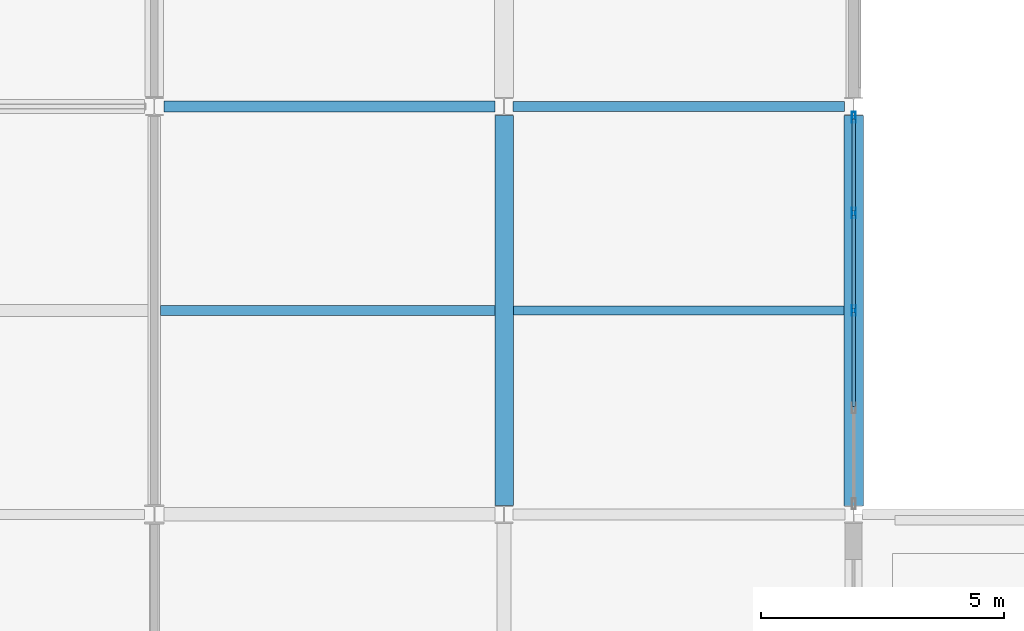
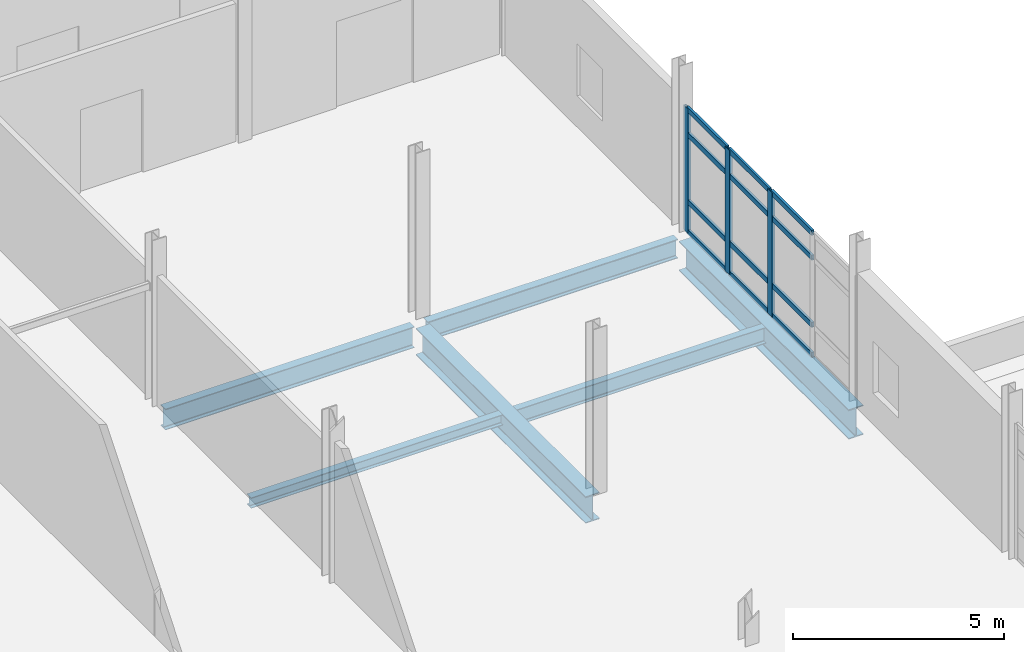
# One storey, part 106 of 186: 15 members, 6 beams, 1 element without a shape of its own.
"""IFC4 building model written with IfcOpenShell, lengths in metres."""

from ifc_helpers import new_model, si_unit, direction, frame, origin, origin_2d, place, context, subcontext, project, spatial, hollow_rectangle, i_section, extrude, material, layer, layer_set, material_profile, profile_set, type_object, element, aggregate, save


model = new_model("IFC4")

# Units and contexts
model_context = context("Model", 3, precision=1e-05, world=origin(), true_north=direction((0.0, 1.0)))
body_context = subcontext(model_context, "Body", "Model", "MODEL_VIEW")
ifc_project = project(units=[si_unit("LENGTHUNIT", "METRE"), si_unit("AREAUNIT", "SQUARE_METRE"), si_unit("VOLUMEUNIT", "CUBIC_METRE"), si_unit("PLANEANGLEUNIT", "RADIAN"), si_unit("MASSUNIT", "GRAM", prefix="KILO")], contexts=[model_context])

# Site, building, storey
site_placement = place(None, origin())
site = spatial("IfcSite", under=ifc_project, at=site_placement, CompositionType="ELEMENT")
building_placement = place(site_placement, origin())
building = spatial("IfcBuilding", under=site, at=building_placement, Name="Calvrana Isthmian Art Gallery", CompositionType="ELEMENT")
storey_placement = place(building_placement, frame((0.0, 0.0, 5.39990234375)))
storey = spatial("IfcBuildingStorey", under=building, at=storey_placement, Name="L01", CompositionType="ELEMENT", Elevation=5.39990234375)

# Beams
ifc_material_1 = material(Name="Steel ASTM A992 Gr 50", Category="steel")
ifc_material_profile_1 = material_profile(ifc_material_1, i_section(OverallWidth=0.214111328125, OverallDepth=0.549072265625, WebThickness=0.0146484375, FlangeThickness=0.023681640625, FilletRadius=0.02099609375, at=origin_2d()), Name="W21X93")
ifc_profile_set_1 = profile_set([ifc_material_profile_1], Name="Steel ASTM A992 Gr 50")
beam_type_1 = type_object("IfcBeamType", Name="BM-G-W21X93", PredefinedType="BEAM", material=ifc_profile_set_1)
beam_1_placement = place(storey_placement, frame((148.986572265625, 30.0, -0.519287109375), z_axis=(1.0, 0.0, 0.0), x_axis=(0.0, 1.0, 0.0)))
element("IfcBeam", 1, at=beam_1_placement, inside=storey, type_object=beam_type_1, Name="Girder X L01 20-21/E", PredefinedType="BEAM", context=body_context, shape_type="SweptSolid", body=[
    extrude(i_section(OverallWidth=0.214111328125, OverallDepth=0.549072265625, WebThickness=0.0146484375, FlangeThickness=0.023681640625, FilletRadius=0.02099609375, at=origin_2d()), origin(), (0.0, 0.0, 1.0), 6.827880859375),
])
ifc_material_profile_2 = material_profile(ifc_material_1, i_section(OverallWidth=0.22802734375, OverallDepth=0.60693359375, WebThickness=0.01123046875, FlangeThickness=0.017333984375, FilletRadius=0.02197265625, at=origin_2d()), Name="W24X76")
ifc_profile_set_2 = profile_set([ifc_material_profile_2], Name="Steel ASTM A992 Gr 50")
beam_type_2 = type_object("IfcBeamType", Name="BM-G-W24X76", PredefinedType="BEAM", material=ifc_profile_set_2)
beam_2_placement = place(storey_placement, frame((141.802978515625, 30.0, -0.54833984375), z_axis=(1.0, 0.0, 0.0), x_axis=(0.0, 1.0, 0.0)))
element("IfcBeam", 2, at=beam_2_placement, inside=storey, type_object=beam_type_2, Name="Girder X L01 19-20/E", PredefinedType="BEAM", context=body_context, shape_type="SweptSolid", body=[
    extrude(i_section(OverallWidth=0.22802734375, OverallDepth=0.60693359375, WebThickness=0.01123046875, FlangeThickness=0.017333984375, FilletRadius=0.02197265625, at=origin_2d()), origin(), (0.0, 0.0, 1.0), 6.810546875),
])
ifc_material_profile_3 = material_profile(ifc_material_1, i_section(OverallWidth=0.381103515625, OverallDepth=0.77197265625, WebThickness=0.0166015625, FlangeThickness=0.027099609375, FilletRadius=0.02490234375, at=origin_2d()), Name="W30X173")
ifc_profile_set_3 = profile_set([ifc_material_profile_3], Name="Steel ASTM A992 Gr 50")
beam_type_3 = type_object("IfcBeamType", Name="BM-G-W30X173", PredefinedType="BEAM", material=ifc_profile_set_3)
beam_3_placement = place(storey_placement, frame((148.800048828125, 21.781494140625, -0.630859375), z_axis=(0.0, 1.0, 0.0), x_axis=(-1.0, 0.0, 0.0)))
element("IfcBeam", 3, at=beam_3_placement, inside=storey, type_object=beam_type_3, Name="Girder Y L01 20/D-E", PredefinedType="BEAM", context=body_context, shape_type="SweptSolid", body=[
    extrude(i_section(OverallWidth=0.381103515625, OverallDepth=0.77197265625, WebThickness=0.0166015625, FlangeThickness=0.027099609375, FilletRadius=0.02490234375, at=origin_2d()), origin(), (0.0, 0.0, 1.0), 8.034423828125),
])
ifc_material_profile_4 = material_profile(ifc_material_1, i_section(OverallWidth=0.40087890625, OverallDepth=0.85595703125, WebThickness=0.018310546875, FlangeThickness=0.029296875, FilletRadius=0.02587890625, at=origin_2d()), Name="W33X201")
ifc_profile_set_4 = profile_set([ifc_material_profile_4], Name="Steel ASTM A992 Gr 50")
beam_type_4 = type_object("IfcBeamType", Name="BM-G-W33X201", PredefinedType="BEAM", material=ifc_profile_set_4)
beam_4_placement = place(storey_placement, frame((156.0, 21.778076171875, -0.6728515625), z_axis=(0.0, 1.0, 0.0), x_axis=(-1.0, 0.0, 0.0)))
element("IfcBeam", 4, at=beam_4_placement, inside=storey, type_object=beam_type_4, Name="Girder Y L01 21/D-E", PredefinedType="BEAM", context=body_context, shape_type="SweptSolid", body=[
    extrude(i_section(OverallWidth=0.40087890625, OverallDepth=0.85595703125, WebThickness=0.018310546875, FlangeThickness=0.029296875, FilletRadius=0.02587890625, at=origin_2d()), origin(), (0.0, 0.0, 1.0), 8.04052734375),
])
ifc_material_profile_5 = material_profile(ifc_material_1, i_section(OverallWidth=0.202880859375, OverallDepth=0.302001953125, WebThickness=0.007568359375, FlangeThickness=0.01318359375, FilletRadius=0.01611328125, at=origin_2d()), Name="W12X40")
ifc_profile_set_5 = profile_set([ifc_material_profile_5], Name="Steel ASTM A992 Gr 50")
beam_type_5 = type_object("IfcBeamType", Name="BM-J-W12X40", PredefinedType="JOIST", material=ifc_profile_set_5)
beam_5_placement = place(storey_placement, frame((141.728515625, 25.800048828125, -0.39599609375), z_axis=(1.0, 0.0, 0.0), x_axis=(0.0, 1.0, 0.0)))
element("IfcBeam", 5, at=beam_5_placement, inside=storey, type_object=beam_type_5, Name="Composite joist L01 bay 18-03", PredefinedType="JOIST", context=body_context, shape_type="SweptSolid", body=[
    extrude(i_section(OverallWidth=0.202880859375, OverallDepth=0.302001953125, WebThickness=0.007568359375, FlangeThickness=0.01318359375, FilletRadius=0.01611328125, at=origin_2d()), origin(), (0.0, 0.0, 1.0), 6.881103515625),
])
ifc_material_profile_6 = material_profile(ifc_material_1, i_section(OverallWidth=0.19091796875, OverallDepth=0.45703125, WebThickness=0.009033203125, FlangeThickness=0.014404296875, FilletRadius=0.02001953125, at=origin_2d()), Name="W18X50")
ifc_profile_set_6 = profile_set([ifc_material_profile_6], Name="Steel ASTM A992 Gr 50")
beam_type_6 = type_object("IfcBeamType", Name="BM-J-W18X50", PredefinedType="JOIST", material=ifc_profile_set_6)
beam_6_placement = place(storey_placement, frame((148.990478515625, 25.800048828125, -0.473388671875), z_axis=(1.0, 0.0, 0.0), x_axis=(0.0, 1.0, 0.0)))
element("IfcBeam", 6, at=beam_6_placement, inside=storey, type_object=beam_type_6, Name="Composite joist L01 bay 19-03", PredefinedType="JOIST", context=body_context, shape_type="SweptSolid", body=[
    extrude(i_section(OverallWidth=0.19091796875, OverallDepth=0.45703125, WebThickness=0.009033203125, FlangeThickness=0.014404296875, FilletRadius=0.02001953125, at=origin_2d()), origin(), (0.0, 0.0, 1.0), 6.80908203125),
])

# Curtain wall, members
ifc_material_2 = material(Name="Anodized bronze aluminium 6063-T6", Category="aluminium")
ifc_layer = layer(ifc_material_2, 0.179931640625, Name="Anodized bronze aluminium 6063-T6")
ifc_layer_set = layer_set([ifc_layer], Name="Anodized bronze aluminium 6063-T6")
curtain_wall_type = type_object("IfcCurtainWallType", Name="CW-UNIT-080X36", PredefinedType="USERDEFINED", material=ifc_layer_set)
curtain_wall_placement = place(storey_placement, origin())
curtain_wall = element("IfcCurtainWall", 7, at=curtain_wall_placement, inside=storey, type_object=curtain_wall_type, Name="Curtain wall CW-142", ObjectType="UNITISED CURTAIN WALL", PredefinedType="USERDEFINED")
ifc_material_profile_7 = material_profile(ifc_material_2, hollow_rectangle(XDim=0.074951171875, YDim=0.219970703125, WallThickness=0.0048828125, at=origin_2d()), Name="CWM75X220")
ifc_profile_set_7 = profile_set([ifc_material_profile_7], Name="Anodized bronze aluminium 6063-T6")
member_type_1 = type_object("IfcMemberType", Name="CWM-CWM75X220", PredefinedType="MULLION", material=ifc_profile_set_7)
member_1_placement = place(storey_placement, frame((156.0, 29.778564453125, 0.0), z_axis=(0.0, 0.0, 1.0), x_axis=(1.0, 0.0, 0.0)))
member_1 = element("IfcMember", 8, at=member_1_placement, type_object=member_type_1, Name="CW-142 mullion 1", PredefinedType="MULLION", context=body_context, shape_type="SweptSolid", body=[
    extrude(hollow_rectangle(XDim=0.074951171875, YDim=0.219970703125, WallThickness=0.0048828125, at=origin_2d()), origin(), (0.0, 0.0, 1.0), 3.593017578125),
])
member_2_placement = place(storey_placement, frame((156.0, 27.807373046875, 0.0), z_axis=(0.0, 0.0, 1.0), x_axis=(1.0, 0.0, 0.0)))
member_2 = element("IfcMember", 9, at=member_2_placement, type_object=member_type_1, Name="CW-142 mullion 2", PredefinedType="MULLION", context=body_context, shape_type="SweptSolid", body=[
    extrude(hollow_rectangle(XDim=0.074951171875, YDim=0.219970703125, WallThickness=0.0048828125, at=origin_2d()), origin(), (0.0, 0.0, 1.0), 3.593017578125),
])
member_3_placement = place(storey_placement, frame((156.0, 25.798828125, 0.0), z_axis=(0.0, 0.0, 1.0), x_axis=(1.0, 0.0, 0.0)))
member_3 = element("IfcMember", 10, at=member_3_placement, type_object=member_type_1, Name="CW-142 mullion 3", PredefinedType="MULLION", context=body_context, shape_type="SweptSolid", body=[
    extrude(hollow_rectangle(XDim=0.074951171875, YDim=0.219970703125, WallThickness=0.0048828125, at=origin_2d()), origin(), (0.0, 0.0, 1.0), 3.593017578125),
])
ifc_material_profile_8 = material_profile(ifc_material_2, hollow_rectangle(XDim=0.06494140625, YDim=0.14990234375, WallThickness=0.00390625, at=origin_2d()), Name="CWT65X150")
ifc_profile_set_8 = profile_set([ifc_material_profile_8], Name="Anodized bronze aluminium 6063-T6")
member_type_2 = type_object("IfcMemberType", Name="CWT-CWT65X150", PredefinedType="USERDEFINED", material=ifc_profile_set_8)
member_4_placement = place(storey_placement, frame((156.0, 29.740966796875, 0.03271484375), z_axis=(0.0, -1.0, 0.0), x_axis=(1.0, 0.0, 0.0)))
member_4 = element("IfcMember", 11, at=member_4_placement, type_object=member_type_2, Name="CW-142 transom 1.1", ObjectType="TRANSOM", PredefinedType="USERDEFINED", context=body_context, shape_type="SweptSolid", body=[
    extrude(hollow_rectangle(XDim=0.06494140625, YDim=0.14990234375, WallThickness=0.00390625, at=origin_2d()), origin(), (0.0, 0.0, 1.0), 1.89599609375),
])
member_5_placement = place(storey_placement, frame((156.0, 29.740966796875, 0.900146484375), z_axis=(0.0, -1.0, 0.0), x_axis=(1.0, 0.0, 0.0)))
member_5 = element("IfcMember", 12, at=member_5_placement, type_object=member_type_2, Name="CW-142 transom 1.2", ObjectType="TRANSOM", PredefinedType="USERDEFINED", context=body_context, shape_type="SweptSolid", body=[
    extrude(hollow_rectangle(XDim=0.06494140625, YDim=0.14990234375, WallThickness=0.00390625, at=origin_2d()), origin(), (0.0, 0.0, 1.0), 1.89599609375),
])
member_6_placement = place(storey_placement, frame((156.0, 29.740966796875, 2.843017578125), z_axis=(0.0, -1.0, 0.0), x_axis=(1.0, 0.0, 0.0)))
member_6 = element("IfcMember", 13, at=member_6_placement, type_object=member_type_2, Name="CW-142 transom 1.3", ObjectType="TRANSOM", PredefinedType="USERDEFINED", context=body_context, shape_type="SweptSolid", body=[
    extrude(hollow_rectangle(XDim=0.06494140625, YDim=0.14990234375, WallThickness=0.00390625, at=origin_2d()), origin(), (0.0, 0.0, 1.0), 1.89599609375),
])
member_7_placement = place(storey_placement, frame((156.0, 29.740966796875, 3.560546875), z_axis=(0.0, -1.0, 0.0), x_axis=(1.0, 0.0, 0.0)))
member_7 = element("IfcMember", 14, at=member_7_placement, type_object=member_type_2, Name="CW-142 transom 1.4", ObjectType="TRANSOM", PredefinedType="USERDEFINED", context=body_context, shape_type="SweptSolid", body=[
    extrude(hollow_rectangle(XDim=0.06494140625, YDim=0.14990234375, WallThickness=0.00390625, at=origin_2d()), origin(), (0.0, 0.0, 1.0), 1.89599609375),
])
member_8_placement = place(storey_placement, frame((156.0, 27.769775390625, 0.03271484375), z_axis=(0.0, -1.0, 0.0), x_axis=(1.0, 0.0, 0.0)))
member_8 = element("IfcMember", 15, at=member_8_placement, type_object=member_type_2, Name="CW-142 transom 2.1", ObjectType="TRANSOM", PredefinedType="USERDEFINED", context=body_context, shape_type="SweptSolid", body=[
    extrude(hollow_rectangle(XDim=0.06494140625, YDim=0.14990234375, WallThickness=0.00390625, at=origin_2d()), origin(), (0.0, 0.0, 1.0), 1.93359375),
])
member_9_placement = place(storey_placement, frame((156.0, 27.769775390625, 0.900146484375), z_axis=(0.0, -1.0, 0.0), x_axis=(1.0, 0.0, 0.0)))
member_9 = element("IfcMember", 16, at=member_9_placement, type_object=member_type_2, Name="CW-142 transom 2.2", ObjectType="TRANSOM", PredefinedType="USERDEFINED", context=body_context, shape_type="SweptSolid", body=[
    extrude(hollow_rectangle(XDim=0.06494140625, YDim=0.14990234375, WallThickness=0.00390625, at=origin_2d()), origin(), (0.0, 0.0, 1.0), 1.93359375),
])
member_10_placement = place(storey_placement, frame((156.0, 27.769775390625, 2.843017578125), z_axis=(0.0, -1.0, 0.0), x_axis=(1.0, 0.0, 0.0)))
member_10 = element("IfcMember", 17, at=member_10_placement, type_object=member_type_2, Name="CW-142 transom 2.3", ObjectType="TRANSOM", PredefinedType="USERDEFINED", context=body_context, shape_type="SweptSolid", body=[
    extrude(hollow_rectangle(XDim=0.06494140625, YDim=0.14990234375, WallThickness=0.00390625, at=origin_2d()), origin(), (0.0, 0.0, 1.0), 1.93359375),
])
member_11_placement = place(storey_placement, frame((156.0, 27.769775390625, 3.560546875), z_axis=(0.0, -1.0, 0.0), x_axis=(1.0, 0.0, 0.0)))
member_11 = element("IfcMember", 18, at=member_11_placement, type_object=member_type_2, Name="CW-142 transom 2.4", ObjectType="TRANSOM", PredefinedType="USERDEFINED", context=body_context, shape_type="SweptSolid", body=[
    extrude(hollow_rectangle(XDim=0.06494140625, YDim=0.14990234375, WallThickness=0.00390625, at=origin_2d()), origin(), (0.0, 0.0, 1.0), 1.93359375),
])
member_12_placement = place(storey_placement, frame((156.0, 25.76123046875, 0.03271484375), z_axis=(0.0, -1.0, 0.0), x_axis=(1.0, 0.0, 0.0)))
member_12 = element("IfcMember", 19, at=member_12_placement, type_object=member_type_2, Name="CW-142 transom 3.1", ObjectType="TRANSOM", PredefinedType="USERDEFINED", context=body_context, shape_type="SweptSolid", body=[
    extrude(hollow_rectangle(XDim=0.06494140625, YDim=0.14990234375, WallThickness=0.00390625, at=origin_2d()), origin(), (0.0, 0.0, 1.0), 1.93359375),
])
member_13_placement = place(storey_placement, frame((156.0, 25.76123046875, 0.900146484375), z_axis=(0.0, -1.0, 0.0), x_axis=(1.0, 0.0, 0.0)))
member_13 = element("IfcMember", 20, at=member_13_placement, type_object=member_type_2, Name="CW-142 transom 3.2", ObjectType="TRANSOM", PredefinedType="USERDEFINED", context=body_context, shape_type="SweptSolid", body=[
    extrude(hollow_rectangle(XDim=0.06494140625, YDim=0.14990234375, WallThickness=0.00390625, at=origin_2d()), origin(), (0.0, 0.0, 1.0), 1.93359375),
])
member_14_placement = place(storey_placement, frame((156.0, 25.76123046875, 2.843017578125), z_axis=(0.0, -1.0, 0.0), x_axis=(1.0, 0.0, 0.0)))
member_14 = element("IfcMember", 21, at=member_14_placement, type_object=member_type_2, Name="CW-142 transom 3.3", ObjectType="TRANSOM", PredefinedType="USERDEFINED", context=body_context, shape_type="SweptSolid", body=[
    extrude(hollow_rectangle(XDim=0.06494140625, YDim=0.14990234375, WallThickness=0.00390625, at=origin_2d()), origin(), (0.0, 0.0, 1.0), 1.93359375),
])
member_15_placement = place(storey_placement, frame((156.0, 25.76123046875, 3.560546875), z_axis=(0.0, -1.0, 0.0), x_axis=(1.0, 0.0, 0.0)))
member_15 = element("IfcMember", 22, at=member_15_placement, type_object=member_type_2, Name="CW-142 transom 3.4", ObjectType="TRANSOM", PredefinedType="USERDEFINED", context=body_context, shape_type="SweptSolid", body=[
    extrude(hollow_rectangle(XDim=0.06494140625, YDim=0.14990234375, WallThickness=0.00390625, at=origin_2d()), origin(), (0.0, 0.0, 1.0), 1.93359375),
])
aggregate(curtain_wall, [member_1, member_2, member_3, member_4, member_5, member_6, member_7, member_8, member_9, member_10, member_11, member_12, member_13, member_14, member_15])

save(model, "model.ifc")
